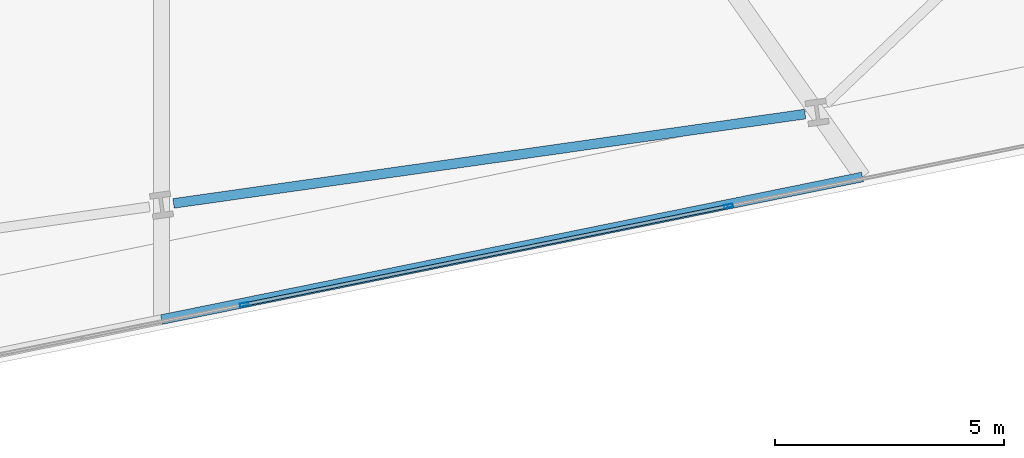
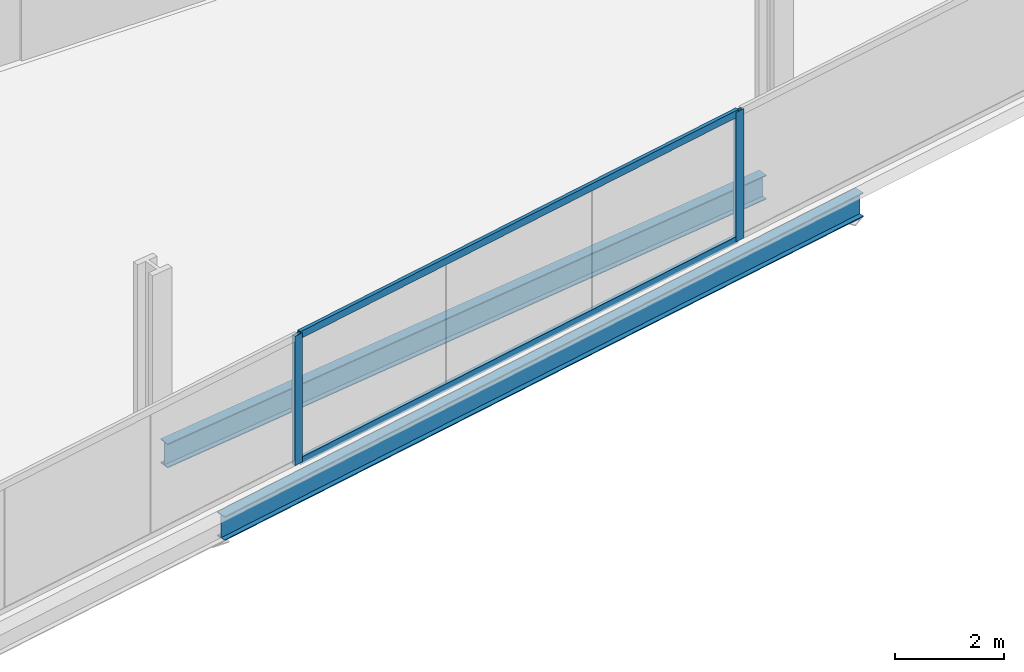
# One storey, part 8 of 33: 4 members, 2 beams, 1 element without a shape of its own.
"""IFC4 building model written with IfcOpenShell, lengths in metres."""

from ifc_helpers import new_model, si_unit, direction, frame, origin, origin_2d, place, context, subcontext, project, spatial, hollow_rectangle, i_section, extrude, material, material_profile, profile_set, type_object, element, aggregate, save


model = new_model("IFC4")

# Units and contexts
model_context = context("Model", 3, precision=1e-05, world=origin(), true_north=direction((0.0, 1.0)))
body_context = subcontext(model_context, "Body", "Model", "MODEL_VIEW")
ifc_project = project(units=[si_unit("LENGTHUNIT", "METRE"), si_unit("AREAUNIT", "SQUARE_METRE"), si_unit("VOLUMEUNIT", "CUBIC_METRE"), si_unit("PLANEANGLEUNIT", "RADIAN"), si_unit("MASSUNIT", "GRAM", prefix="KILO")], contexts=[model_context])

# Site, building, storey
site_placement = place(None, origin())
site = spatial("IfcSite", under=ifc_project, at=site_placement, CompositionType="ELEMENT")
building_placement = place(site_placement, origin())
building = spatial("IfcBuilding", under=site, at=building_placement, Name="Haldenkirk Collegiate Tower", CompositionType="ELEMENT")
storey_placement = place(building_placement, frame((0.0, 0.0, 66.449951171875)))
storey = spatial("IfcBuildingStorey", under=building, at=storey_placement, Name="L15", CompositionType="ELEMENT", Elevation=66.449951171875)

# Beams
ifc_material_1 = material(Name="Steel ASTM A992 Grade 50", Category="steel")
ifc_material_profile_1 = material_profile(ifc_material_1, i_section(OverallWidth=0.2119140625, OverallDepth=0.5439453125, WebThickness=0.01318359375, FlangeThickness=0.021240234375, at=origin_2d()), Name="W21X83")
ifc_profile_set_1 = profile_set([ifc_material_profile_1], Name="Steel ASTM A992 Grade 50")
beam_type = type_object("IfcBeamType", Name="BM-SPANDREL-W21X83", PredefinedType="SPANDREL", material=ifc_profile_set_1)
beam_1_placement = place(storey_placement, frame((39.37060546875, 4.055908203125, -0.58203125), z_axis=(0.990146197746, 0.14003752029, 0.0), x_axis=(-0.14003752029, 0.990146197746, 0.0)))
element("IfcBeam", 1, at=beam_1_placement, inside=storey, type_object=beam_type, Name="L15 perimeter spandrel beam 03", PredefinedType="SPANDREL", context=body_context, shape_type="SweptSolid", body=[
    extrude(i_section(OverallWidth=0.2119140625, OverallDepth=0.5439453125, WebThickness=0.01318359375, FlangeThickness=0.021240234375, at=origin_2d()), origin(), (0.0, 0.0, 1.0), 13.906982421875),
])
beam_2_placement = place(storey_placement, frame((39.10888671875, 1.5234375, -0.58203125), z_axis=(0.97992380865, 0.199372338205, 0.0), x_axis=(-0.199372338205, 0.97992380865, 0.0)))
element("IfcBeam", 2, at=beam_2_placement, inside=storey, type_object=beam_type, Name="L15 outer facade edge beam 1B", PredefinedType="SPANDREL", context=body_context, shape_type="SweptSolid", body=[
    extrude(i_section(OverallWidth=0.2119140625, OverallDepth=0.5439453125, WebThickness=0.01318359375, FlangeThickness=0.021240234375, at=origin_2d()), origin(), (0.0, 0.0, 1.0), 15.595703125),
])

# Curtain wall, members
ifc_material_2 = material(Name="Anodised architectural bronze aluminium", Category="aluminium")
curtain_wall_type = type_object("IfcCurtainWallType", Name="CW-SYS2-CONCAVE", PredefinedType="USERDEFINED", material=ifc_material_2)
curtain_wall_placement = place(storey_placement, origin())
curtain_wall = element("IfcCurtainWall", 3, at=curtain_wall_placement, inside=storey, type_object=curtain_wall_type, Name="L15 South concave recessed bronze-anodised curtain wall", ObjectType="UNITISED CURTAIN WALL", PredefinedType="USERDEFINED")
ifc_material_profile_2 = material_profile(ifc_material_2, hollow_rectangle(XDim=0.074951171875, YDim=0.18994140625, WallThickness=0.0048828125, at=origin_2d()), Name="CW-MUL-02")
ifc_profile_set_2 = profile_set([ifc_material_profile_2], Name="Anodised architectural bronze aluminium")
member_type_1 = type_object("IfcMemberType", Name="CW-MUL-02", PredefinedType="MULLION", material=ifc_profile_set_2)
member_1_placement = place(storey_placement, frame((51.47216796875, 3.998046875, 0.0), z_axis=(0.0, 0.0, 1.0), x_axis=(0.199368665738, -0.979924555832, 0.0)))
member_1 = element("IfcMember", 4, at=member_1_placement, type_object=member_type_1, Name="CW-02 mullion 2", PredefinedType="MULLION", context=body_context, shape_type="SweptSolid", body=[
    extrude(hollow_rectangle(XDim=0.074951171875, YDim=0.18994140625, WallThickness=0.0048828125, at=origin_2d()), origin(), (0.0, 0.0, 1.0), 2.89111328125),
])
member_2_placement = place(storey_placement, frame((40.913330078125, 1.849853515625, 0.0), z_axis=(0.0, 0.0, 1.0), x_axis=(0.199368665738, -0.979924555832, 0.0)))
member_2 = element("IfcMember", 5, at=member_2_placement, type_object=member_type_1, Name="CW-02 mullion 3", PredefinedType="MULLION", context=body_context, shape_type="SweptSolid", body=[
    extrude(hollow_rectangle(XDim=0.074951171875, YDim=0.18994140625, WallThickness=0.0048828125, at=origin_2d()), origin(), (0.0, 0.0, 1.0), 2.89111328125),
])
ifc_material_profile_3 = material_profile(ifc_material_2, hollow_rectangle(XDim=0.074951171875, YDim=0.159912109375, WallThickness=0.0048828125, at=origin_2d()), Name="CW-TRN-02")
ifc_profile_set_3 = profile_set([ifc_material_profile_3], Name="Anodised architectural bronze aluminium")
member_type_2 = type_object("IfcMemberType", Name="CW-TRN-02", PredefinedType="USERDEFINED", material=ifc_profile_set_3)
member_3_placement = place(storey_placement, frame((51.435302734375, 3.990478515625, 0.03759765625), z_axis=(-0.979923215303, -0.199375254507, 0.0), x_axis=(0.199375254507, -0.979923215303, 0.0)))
member_3 = element("IfcMember", 6, at=member_3_placement, type_object=member_type_2, Name="CW-02 transom 2.1", ObjectType="TRANSOM", PredefinedType="USERDEFINED", context=body_context, shape_type="SweptSolid", body=[
    extrude(hollow_rectangle(XDim=0.074951171875, YDim=0.159912109375, WallThickness=0.0048828125, at=origin_2d()), origin(), (0.0, 0.0, 1.0), 10.699951171875),
])
member_4_placement = place(storey_placement, frame((51.435302734375, 3.990478515625, 2.853515625), z_axis=(-0.979923215303, -0.199375254507, 0.0), x_axis=(0.199375254507, -0.979923215303, 0.0)))
member_4 = element("IfcMember", 7, at=member_4_placement, type_object=member_type_2, Name="CW-02 transom 2.2", ObjectType="TRANSOM", PredefinedType="USERDEFINED", context=body_context, shape_type="SweptSolid", body=[
    extrude(hollow_rectangle(XDim=0.074951171875, YDim=0.159912109375, WallThickness=0.0048828125, at=origin_2d()), origin(), (0.0, 0.0, 1.0), 10.699951171875),
])
aggregate(curtain_wall, [member_1, member_2, member_3, member_4])

save(model, "model.ifc")
